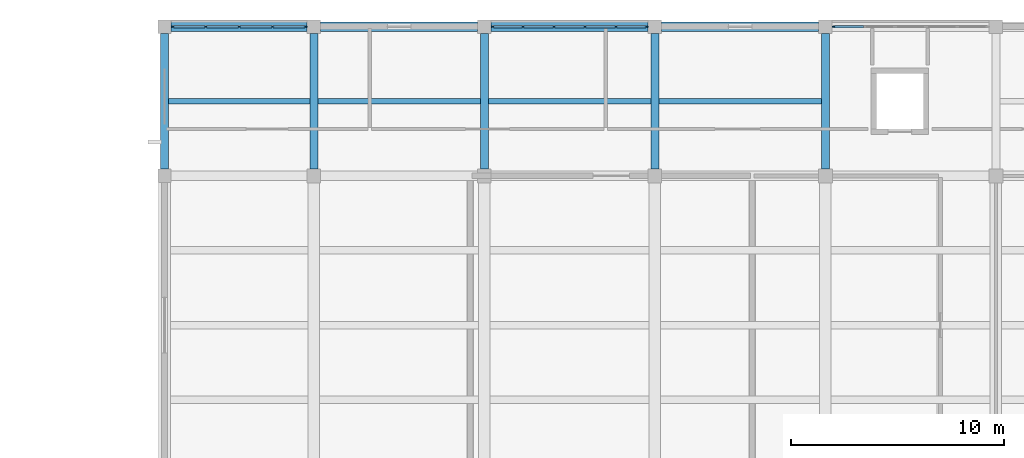
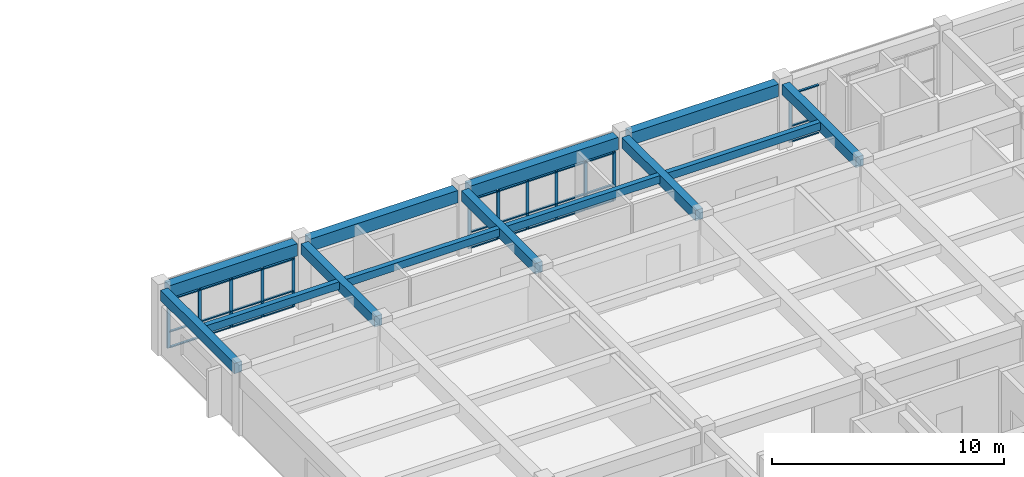
# One storey, part 12 of 33: 42 members, 13 beams, 3 elements without a shape of their own.
"""IFC4 building model written with IfcOpenShell, lengths in metres."""

from ifc_helpers import new_model, si_unit, direction, frame, origin, origin_2d, place, context, subcontext, project, spatial, rectangle, extrude, material, layer, layer_set, material_profile, profile_set, type_object, element, aggregate, save


model = new_model("IFC4")

# Units and contexts
model_context = context("Model", 3, precision=1e-05, world=origin(), true_north=direction((0.0, 1.0)))
body_context = subcontext(model_context, "Body", "Model", "MODEL_VIEW")
ifc_project = project(units=[si_unit("LENGTHUNIT", "METRE"), si_unit("AREAUNIT", "SQUARE_METRE"), si_unit("VOLUMEUNIT", "CUBIC_METRE"), si_unit("PLANEANGLEUNIT", "RADIAN"), si_unit("MASSUNIT", "GRAM", prefix="KILO")], contexts=[model_context])

# Site, building, storey
site_placement = place(None, origin())
site = spatial("IfcSite", under=ifc_project, at=site_placement, CompositionType="ELEMENT")
building_placement = place(site_placement, origin())
building = spatial("IfcBuilding", under=site, at=building_placement, Name="Naurynzar Civic Courthouse", CompositionType="ELEMENT")
storey_placement = place(building_placement, frame((0.0, 0.0, 22.050048828125)))
storey = spatial("IfcBuildingStorey", under=building, at=storey_placement, Name="L06", CompositionType="ELEMENT", Elevation=22.050048828125)

# Beams
ifc_material_1 = material(Name="Concrete C40/50", Category="concrete")
ifc_material_profile_1 = material_profile(ifc_material_1, rectangle(XDim=0.25, YDim=0.39990234375, at=origin_2d()), Name="RCB 250x400")
ifc_profile_set_1 = profile_set([ifc_material_profile_1], Name="Concrete C40/50")
beam_type_1 = type_object("IfcBeamType", Name="BM-JST-250x400", PredefinedType="JOIST", material=ifc_profile_set_1)
beam_1_placement = place(storey_placement, frame((62.1875, 68.5, 3.22998046875), z_axis=(1.0, 0.0, 0.0), x_axis=(0.0, 1.0, 0.0)))
element("IfcBeam", 1, at=beam_1_placement, inside=storey, type_object=beam_type_1, Name="V2 secondary rib 923 L06", PredefinedType="JOIST", context=body_context, shape_type="SweptSolid", body=[
    extrude(rectangle(XDim=0.25, YDim=0.39990234375, at=origin_2d()), origin(), (0.0, 0.0, 1.0), 6.625),
])
for number, where, z_axis, x_axis, name in (
    (2, (69.1875, 68.5, 3.22998046875), (1.0, 0.0, 0.0), (0.0, 1.0, 0.0), "V2 secondary rib 924 L06"),
    (3, (77.1875, 68.5, 3.22998046875), (1.0, 0.0, 0.0), (0.0, 1.0, 0.0), "V2 secondary rib 925 L06"),
    (4, (85.1875, 68.5, 3.22998046875), (1.0, 0.0, 0.0), (0.0, 1.0, 0.0), "V2 secondary rib 926 L06"),
):
    element("IfcBeam", number, at=place(storey_placement, frame(where, z_axis=z_axis, x_axis=x_axis)), inside=storey, type_object=beam_type_1, Name=name, PredefinedType="JOIST", context=body_context, shape_type="SweptSolid", body=[
        extrude(rectangle(XDim=0.25, YDim=0.39990234375, at=origin_2d()), origin(), (0.0, 0.0, 1.0), 7.625),
    ])
ifc_material_2 = material(Name="Concrete C40/50", Category="concrete")
ifc_material_profile_2 = material_profile(ifc_material_2, rectangle(XDim=0.375, YDim=0.550048828125, at=origin_2d()), Name="RCB 375x550")
ifc_profile_set_2 = profile_set([ifc_material_profile_2], Name="Concrete C40/50")
beam_type_2 = type_object("IfcBeamType", Name="BM-RC-375x550", PredefinedType="BEAM", material=ifc_profile_set_2)
beam_2_placement = place(storey_placement, frame((62.0, 65.3125, 3.155029296875), z_axis=(0.0, 1.0, 0.0), x_axis=(-1.0, 0.0, 0.0)))
element("IfcBeam", 5, at=beam_2_placement, inside=storey, type_object=beam_type_2, Name="V2 girder Y-870 L06", PredefinedType="BEAM", context=body_context, shape_type="SweptSolid", body=[
    extrude(rectangle(XDim=0.375, YDim=0.550048828125, at=origin_2d()), origin(), (0.0, 0.0, 1.0), 6.375),
])
for number, where, z_axis, x_axis, name in (
    (6, (69.0, 65.324951171875, 3.155029296875), (0.0, 1.0, 0.0), (-1.0, 0.0, 0.0), "V2 girder Y-873 L06"),
    (7, (77.0, 65.324951171875, 3.155029296875), (0.0, 1.0, 0.0), (-1.0, 0.0, 0.0), "V2 girder Y-876 L06"),
    (8, (85.0, 65.324951171875, 3.155029296875), (0.0, 1.0, 0.0), (-1.0, 0.0, 0.0), "V2 girder Y-879 L06"),
    (9, (93.0, 65.324951171875, 3.155029296875), (0.0, 1.0, 0.0), (-1.0, 0.0, 0.0), "V2 girder Y-882 L06"),
):
    element("IfcBeam", number, at=place(storey_placement, frame(where, z_axis=z_axis, x_axis=x_axis)), inside=storey, type_object=beam_type_2, Name=name, PredefinedType="BEAM", context=body_context, shape_type="SweptSolid", body=[
        extrude(rectangle(XDim=0.375, YDim=0.550048828125, at=origin_2d()), origin(), (0.0, 0.0, 1.0), 6.362548828125),
    ])
ifc_material_3 = material(Name="Concrete C40/50", Category="concrete")
ifc_material_profile_3 = material_profile(ifc_material_3, rectangle(XDim=0.449951171875, YDim=0.64990234375, at=origin_2d()), Name="RCB 450x650")
ifc_profile_set_3 = profile_set([ifc_material_profile_3], Name="Concrete C40/50")
beam_type_3 = type_object("IfcBeamType", Name="BM-RC-450x650", PredefinedType="BEAM", material=ifc_profile_set_3)
beam_3_placement = place(storey_placement, frame((62.3125, 72.0, 3.10498046875), z_axis=(1.0, 0.0, 0.0), x_axis=(0.0, 1.0, 0.0)))
element("IfcBeam", 10, at=beam_3_placement, inside=storey, type_object=beam_type_3, Name="V2 beam X-860 L06", PredefinedType="BEAM", context=body_context, shape_type="SweptSolid", body=[
    extrude(rectangle(XDim=0.449951171875, YDim=0.64990234375, at=origin_2d()), origin(), (0.0, 0.0, 1.0), 6.375),
])
for number, where, z_axis, x_axis, name in (
    (11, (69.3125, 72.0, 3.10498046875), (1.0, 0.0, 0.0), (0.0, 1.0, 0.0), "V2 beam X-861 L06"),
    (12, (77.3125, 72.0, 3.10498046875), (1.0, 0.0, 0.0), (0.0, 1.0, 0.0), "V2 beam X-862 L06"),
    (13, (85.3125, 72.0, 3.10498046875), (1.0, 0.0, 0.0), (0.0, 1.0, 0.0), "V2 beam X-863 L06"),
):
    element("IfcBeam", number, at=place(storey_placement, frame(where, z_axis=z_axis, x_axis=x_axis)), inside=storey, type_object=beam_type_3, Name=name, PredefinedType="BEAM", context=body_context, shape_type="SweptSolid", body=[
        extrude(rectangle(XDim=0.449951171875, YDim=0.64990234375, at=origin_2d()), origin(), (0.0, 0.0, 1.0), 7.375),
    ])

# Curtain wall, members
ifc_material_4 = material(Name="Aluminium 6063-T6", Category="aluminium")
ifc_layer = layer(ifc_material_4, 0.179931640625)
ifc_layer_set = layer_set([ifc_layer], Name="CW-UNIT-1500")
curtain_wall_type = type_object("IfcCurtainWallType", Name="CW-UNIT-1500", PredefinedType="NOTDEFINED", material=ifc_layer_set)
curtain_wall_1_placement = place(storey_placement, origin())
curtain_wall_1 = element("IfcCurtainWall", 14, at=curtain_wall_1_placement, inside=storey, type_object=curtain_wall_type, Name="V2 unitised curtain wall 43 L06", PredefinedType="NOTDEFINED")
ifc_material_5 = material(Name="Aluminium 6063-T6", Category="aluminium")
ifc_material_profile_4 = material_profile(ifc_material_5, rectangle(XDim=0.06005859375, YDim=0.14990234375, at=origin_2d()), Name="ALU MULLION 60x150")
ifc_profile_set_4 = profile_set([ifc_material_profile_4], Name="Aluminium 6063-T6")
member_type_1 = type_object("IfcMemberType", Name="CWM-60x150", PredefinedType="MULLION", material=ifc_profile_set_4)
member_1_placement = place(storey_placement, frame((62.392578125, 72.0, 0.0), z_axis=(0.0, 0.0, 1.0), x_axis=(0.0, 1.0, 0.0)))
member_1 = element("IfcMember", 15, at=member_1_placement, type_object=member_type_1, Name="CW-01 mullion 1", PredefinedType="MULLION", context=body_context, shape_type="SweptSolid", body=[
    extrude(rectangle(XDim=0.06005859375, YDim=0.14990234375, at=origin_2d()), origin(), (0.0, 0.0, 1.0), 2.56005859375),
])
member_2_placement = place(storey_placement, frame((63.93115234375, 72.0, 0.0), z_axis=(0.0, 0.0, 1.0), x_axis=(0.0, 1.0, 0.0)))
member_2 = element("IfcMember", 16, at=member_2_placement, type_object=member_type_1, Name="CW-01 mullion 2", PredefinedType="MULLION", context=body_context, shape_type="SweptSolid", body=[
    extrude(rectangle(XDim=0.06005859375, YDim=0.14990234375, at=origin_2d()), origin(), (0.0, 0.0, 1.0), 2.56005859375),
])
member_3_placement = place(storey_placement, frame((65.5, 72.0, 0.0), z_axis=(0.0, 0.0, 1.0), x_axis=(0.0, 1.0, 0.0)))
member_3 = element("IfcMember", 17, at=member_3_placement, type_object=member_type_1, Name="CW-01 mullion 3", PredefinedType="MULLION", context=body_context, shape_type="SweptSolid", body=[
    extrude(rectangle(XDim=0.06005859375, YDim=0.14990234375, at=origin_2d()), origin(), (0.0, 0.0, 1.0), 2.56005859375),
])
member_4_placement = place(storey_placement, frame((67.06884765625, 72.0, 0.0), z_axis=(0.0, 0.0, 1.0), x_axis=(0.0, 1.0, 0.0)))
member_4 = element("IfcMember", 18, at=member_4_placement, type_object=member_type_1, Name="CW-01 mullion 4", PredefinedType="MULLION", context=body_context, shape_type="SweptSolid", body=[
    extrude(rectangle(XDim=0.06005859375, YDim=0.14990234375, at=origin_2d()), origin(), (0.0, 0.0, 1.0), 2.56005859375),
])
member_5_placement = place(storey_placement, frame((68.607421875, 72.0, 0.0), z_axis=(0.0, 0.0, 1.0), x_axis=(0.0, 1.0, 0.0)))
member_5 = element("IfcMember", 19, at=member_5_placement, type_object=member_type_1, Name="CW-01 mullion 5", PredefinedType="MULLION", context=body_context, shape_type="SweptSolid", body=[
    extrude(rectangle(XDim=0.06005859375, YDim=0.14990234375, at=origin_2d()), origin(), (0.0, 0.0, 1.0), 2.56005859375),
])

curtain_wall_2_placement = place(storey_placement, origin())
curtain_wall_2 = element("IfcCurtainWall", 20, at=curtain_wall_2_placement, inside=storey, type_object=curtain_wall_type, Name="V2 unitised curtain wall 44 L06", PredefinedType="NOTDEFINED")
member_6_placement = place(storey_placement, frame((77.392578125, 72.0, 0.0), z_axis=(0.0, 0.0, 1.0), x_axis=(0.0, 1.0, 0.0)))
member_6 = element("IfcMember", 21, at=member_6_placement, type_object=member_type_1, Name="CW-01 mullion 1", PredefinedType="MULLION", context=body_context, shape_type="SweptSolid", body=[
    extrude(rectangle(XDim=0.06005859375, YDim=0.14990234375, at=origin_2d()), origin(), (0.0, 0.0, 1.0), 2.56005859375),
])
member_7_placement = place(storey_placement, frame((78.8173828125, 72.0, 0.0), z_axis=(0.0, 0.0, 1.0), x_axis=(0.0, 1.0, 0.0)))
member_7 = element("IfcMember", 22, at=member_7_placement, type_object=member_type_1, Name="CW-01 mullion 2", PredefinedType="MULLION", context=body_context, shape_type="SweptSolid", body=[
    extrude(rectangle(XDim=0.06005859375, YDim=0.14990234375, at=origin_2d()), origin(), (0.0, 0.0, 1.0), 2.56005859375),
])
member_8_placement = place(storey_placement, frame((80.2724609375, 72.0, 0.0), z_axis=(0.0, 0.0, 1.0), x_axis=(0.0, 1.0, 0.0)))
member_8 = element("IfcMember", 23, at=member_8_placement, type_object=member_type_1, Name="CW-01 mullion 3", PredefinedType="MULLION", context=body_context, shape_type="SweptSolid", body=[
    extrude(rectangle(XDim=0.06005859375, YDim=0.14990234375, at=origin_2d()), origin(), (0.0, 0.0, 1.0), 2.56005859375),
])
member_9_placement = place(storey_placement, frame((81.7275390625, 72.0, 0.0), z_axis=(0.0, 0.0, 1.0), x_axis=(0.0, 1.0, 0.0)))
member_9 = element("IfcMember", 24, at=member_9_placement, type_object=member_type_1, Name="CW-01 mullion 4", PredefinedType="MULLION", context=body_context, shape_type="SweptSolid", body=[
    extrude(rectangle(XDim=0.06005859375, YDim=0.14990234375, at=origin_2d()), origin(), (0.0, 0.0, 1.0), 2.56005859375),
])
member_10_placement = place(storey_placement, frame((83.1826171875, 72.0, 0.0), z_axis=(0.0, 0.0, 1.0), x_axis=(0.0, 1.0, 0.0)))
member_10 = element("IfcMember", 25, at=member_10_placement, type_object=member_type_1, Name="CW-01 mullion 5", PredefinedType="MULLION", context=body_context, shape_type="SweptSolid", body=[
    extrude(rectangle(XDim=0.06005859375, YDim=0.14990234375, at=origin_2d()), origin(), (0.0, 0.0, 1.0), 2.56005859375),
])
member_11_placement = place(storey_placement, frame((84.607421875, 72.0, 0.0), z_axis=(0.0, 0.0, 1.0), x_axis=(0.0, 1.0, 0.0)))
member_11 = element("IfcMember", 26, at=member_11_placement, type_object=member_type_1, Name="CW-01 mullion 6", PredefinedType="MULLION", context=body_context, shape_type="SweptSolid", body=[
    extrude(rectangle(XDim=0.06005859375, YDim=0.14990234375, at=origin_2d()), origin(), (0.0, 0.0, 1.0), 2.56005859375),
])

# Curtain wall, member
curtain_wall_3_placement = place(storey_placement, origin())
curtain_wall_3 = element("IfcCurtainWall", 27, at=curtain_wall_3_placement, inside=storey, type_object=curtain_wall_type, Name="V2 unitised curtain wall 45 L06", PredefinedType="NOTDEFINED")
member_12_placement = place(storey_placement, frame((93.392578125, 72.0, 0.0), z_axis=(0.0, 0.0, 1.0), x_axis=(0.0, 1.0, 0.0)))
member_12 = element("IfcMember", 28, at=member_12_placement, type_object=member_type_1, Name="CW-01 mullion 1", PredefinedType="MULLION", context=body_context, shape_type="SweptSolid", body=[
    extrude(rectangle(XDim=0.06005859375, YDim=0.14990234375, at=origin_2d()), origin(), (0.0, 0.0, 1.0), 2.56005859375),
])

# Member
ifc_material_6 = material(Name="Aluminium 6063-T6", Category="aluminium")
ifc_material_profile_5 = material_profile(ifc_material_6, rectangle(XDim=0.110107421875, YDim=0.06005859375, at=origin_2d()), Name="ALU TRANSOM 60x110")
ifc_profile_set_5 = profile_set([ifc_material_profile_5], Name="Aluminium 6063-T6")
member_type_2 = type_object("IfcMemberType", Name="CWT-60x110", PredefinedType="USERDEFINED", material=ifc_profile_set_5)
member_13_placement = place(storey_placement, frame((62.422607421875, 72.0, 0.030029296875), z_axis=(1.0, 0.0, 0.0), x_axis=(0.0, 1.0, 0.0)))
member_13 = element("IfcMember", 29, at=member_13_placement, type_object=member_type_2, Name="CW-01 transom 1.1", ObjectType="TRANSOM", PredefinedType="USERDEFINED", context=body_context, shape_type="SweptSolid", body=[
    extrude(rectangle(XDim=0.110107421875, YDim=0.06005859375, at=origin_2d()), origin(), (0.0, 0.0, 1.0), 1.478759765625),
])

member_14_placement = place(storey_placement, frame((62.422607421875, 72.0, 0.849853515625), z_axis=(1.0, 0.0, 0.0), x_axis=(0.0, 1.0, 0.0)))
member_14 = element("IfcMember", 30, at=member_14_placement, type_object=member_type_2, Name="CW-01 transom 1.2", ObjectType="TRANSOM", PredefinedType="USERDEFINED", context=body_context, shape_type="SweptSolid", body=[
    extrude(rectangle(XDim=0.110107421875, YDim=0.06005859375, at=origin_2d()), origin(), (0.0, 0.0, 1.0), 1.478759765625),
])

member_15_placement = place(storey_placement, frame((62.422607421875, 72.0, 2.530029296875), z_axis=(1.0, 0.0, 0.0), x_axis=(0.0, 1.0, 0.0)))
member_15 = element("IfcMember", 31, at=member_15_placement, type_object=member_type_2, Name="CW-01 transom 1.3", ObjectType="TRANSOM", PredefinedType="USERDEFINED", context=body_context, shape_type="SweptSolid", body=[
    extrude(rectangle(XDim=0.110107421875, YDim=0.06005859375, at=origin_2d()), origin(), (0.0, 0.0, 1.0), 1.478759765625),
])

member_16_placement = place(storey_placement, frame((63.961181640625, 72.0, 0.030029296875), z_axis=(1.0, 0.0, 0.0), x_axis=(0.0, 1.0, 0.0)))
member_16 = element("IfcMember", 32, at=member_16_placement, type_object=member_type_2, Name="CW-01 transom 2.1", ObjectType="TRANSOM", PredefinedType="USERDEFINED", context=body_context, shape_type="SweptSolid", body=[
    extrude(rectangle(XDim=0.110107421875, YDim=0.06005859375, at=origin_2d()), origin(), (0.0, 0.0, 1.0), 1.5087890625),
])

member_17_placement = place(storey_placement, frame((63.961181640625, 72.0, 0.849853515625), z_axis=(1.0, 0.0, 0.0), x_axis=(0.0, 1.0, 0.0)))
member_17 = element("IfcMember", 33, at=member_17_placement, type_object=member_type_2, Name="CW-01 transom 2.2", ObjectType="TRANSOM", PredefinedType="USERDEFINED", context=body_context, shape_type="SweptSolid", body=[
    extrude(rectangle(XDim=0.110107421875, YDim=0.06005859375, at=origin_2d()), origin(), (0.0, 0.0, 1.0), 1.5087890625),
])

member_18_placement = place(storey_placement, frame((63.961181640625, 72.0, 2.530029296875), z_axis=(1.0, 0.0, 0.0), x_axis=(0.0, 1.0, 0.0)))
member_18 = element("IfcMember", 34, at=member_18_placement, type_object=member_type_2, Name="CW-01 transom 2.3", ObjectType="TRANSOM", PredefinedType="USERDEFINED", context=body_context, shape_type="SweptSolid", body=[
    extrude(rectangle(XDim=0.110107421875, YDim=0.06005859375, at=origin_2d()), origin(), (0.0, 0.0, 1.0), 1.5087890625),
])

member_19_placement = place(storey_placement, frame((65.530029296875, 72.0, 0.030029296875), z_axis=(1.0, 0.0, 0.0), x_axis=(0.0, 1.0, 0.0)))
member_19 = element("IfcMember", 35, at=member_19_placement, type_object=member_type_2, Name="CW-01 transom 3.1", ObjectType="TRANSOM", PredefinedType="USERDEFINED", context=body_context, shape_type="SweptSolid", body=[
    extrude(rectangle(XDim=0.110107421875, YDim=0.06005859375, at=origin_2d()), origin(), (0.0, 0.0, 1.0), 1.5087890625),
])

member_20_placement = place(storey_placement, frame((65.530029296875, 72.0, 0.849853515625), z_axis=(1.0, 0.0, 0.0), x_axis=(0.0, 1.0, 0.0)))
member_20 = element("IfcMember", 36, at=member_20_placement, type_object=member_type_2, Name="CW-01 transom 3.2", ObjectType="TRANSOM", PredefinedType="USERDEFINED", context=body_context, shape_type="SweptSolid", body=[
    extrude(rectangle(XDim=0.110107421875, YDim=0.06005859375, at=origin_2d()), origin(), (0.0, 0.0, 1.0), 1.5087890625),
])

member_21_placement = place(storey_placement, frame((65.530029296875, 72.0, 2.530029296875), z_axis=(1.0, 0.0, 0.0), x_axis=(0.0, 1.0, 0.0)))
member_21 = element("IfcMember", 37, at=member_21_placement, type_object=member_type_2, Name="CW-01 transom 3.3", ObjectType="TRANSOM", PredefinedType="USERDEFINED", context=body_context, shape_type="SweptSolid", body=[
    extrude(rectangle(XDim=0.110107421875, YDim=0.06005859375, at=origin_2d()), origin(), (0.0, 0.0, 1.0), 1.5087890625),
])

member_22_placement = place(storey_placement, frame((67.0986328125, 72.0, 0.030029296875), z_axis=(1.0, 0.0, 0.0), x_axis=(0.0, 1.0, 0.0)))
member_22 = element("IfcMember", 38, at=member_22_placement, type_object=member_type_2, Name="CW-01 transom 4.1", ObjectType="TRANSOM", PredefinedType="USERDEFINED", context=body_context, shape_type="SweptSolid", body=[
    extrude(rectangle(XDim=0.110107421875, YDim=0.06005859375, at=origin_2d()), origin(), (0.0, 0.0, 1.0), 1.478759765625),
])

member_23_placement = place(storey_placement, frame((67.0986328125, 72.0, 0.849853515625), z_axis=(1.0, 0.0, 0.0), x_axis=(0.0, 1.0, 0.0)))
member_23 = element("IfcMember", 39, at=member_23_placement, type_object=member_type_2, Name="CW-01 transom 4.2", ObjectType="TRANSOM", PredefinedType="USERDEFINED", context=body_context, shape_type="SweptSolid", body=[
    extrude(rectangle(XDim=0.110107421875, YDim=0.06005859375, at=origin_2d()), origin(), (0.0, 0.0, 1.0), 1.478759765625),
])

member_24_placement = place(storey_placement, frame((67.0986328125, 72.0, 2.530029296875), z_axis=(1.0, 0.0, 0.0), x_axis=(0.0, 1.0, 0.0)))
member_24 = element("IfcMember", 40, at=member_24_placement, type_object=member_type_2, Name="CW-01 transom 4.3", ObjectType="TRANSOM", PredefinedType="USERDEFINED", context=body_context, shape_type="SweptSolid", body=[
    extrude(rectangle(XDim=0.110107421875, YDim=0.06005859375, at=origin_2d()), origin(), (0.0, 0.0, 1.0), 1.478759765625),
])

aggregate(curtain_wall_1, [member_1, member_2, member_3, member_4, member_5, member_13, member_14, member_15, member_16, member_17, member_18, member_19, member_20, member_21, member_22, member_23, member_24])

member_25_placement = place(storey_placement, frame((77.422607421875, 72.0, 0.030029296875), z_axis=(1.0, 0.0, 0.0), x_axis=(0.0, 1.0, 0.0)))
member_25 = element("IfcMember", 41, at=member_25_placement, type_object=member_type_2, Name="CW-01 transom 1.1", ObjectType="TRANSOM", PredefinedType="USERDEFINED", context=body_context, shape_type="SweptSolid", body=[
    extrude(rectangle(XDim=0.110107421875, YDim=0.06005859375, at=origin_2d()), origin(), (0.0, 0.0, 1.0), 1.364990234375),
])

member_26_placement = place(storey_placement, frame((77.422607421875, 72.0, 0.849853515625), z_axis=(1.0, 0.0, 0.0), x_axis=(0.0, 1.0, 0.0)))
member_26 = element("IfcMember", 42, at=member_26_placement, type_object=member_type_2, Name="CW-01 transom 1.2", ObjectType="TRANSOM", PredefinedType="USERDEFINED", context=body_context, shape_type="SweptSolid", body=[
    extrude(rectangle(XDim=0.110107421875, YDim=0.06005859375, at=origin_2d()), origin(), (0.0, 0.0, 1.0), 1.364990234375),
])

member_27_placement = place(storey_placement, frame((77.422607421875, 72.0, 2.530029296875), z_axis=(1.0, 0.0, 0.0), x_axis=(0.0, 1.0, 0.0)))
member_27 = element("IfcMember", 43, at=member_27_placement, type_object=member_type_2, Name="CW-01 transom 1.3", ObjectType="TRANSOM", PredefinedType="USERDEFINED", context=body_context, shape_type="SweptSolid", body=[
    extrude(rectangle(XDim=0.110107421875, YDim=0.06005859375, at=origin_2d()), origin(), (0.0, 0.0, 1.0), 1.364990234375),
])

member_28_placement = place(storey_placement, frame((78.847412109375, 72.0, 0.030029296875), z_axis=(1.0, 0.0, 0.0), x_axis=(0.0, 1.0, 0.0)))
member_28 = element("IfcMember", 44, at=member_28_placement, type_object=member_type_2, Name="CW-01 transom 2.1", ObjectType="TRANSOM", PredefinedType="USERDEFINED", context=body_context, shape_type="SweptSolid", body=[
    extrude(rectangle(XDim=0.110107421875, YDim=0.06005859375, at=origin_2d()), origin(), (0.0, 0.0, 1.0), 1.39501953125),
])

member_29_placement = place(storey_placement, frame((78.847412109375, 72.0, 0.849853515625), z_axis=(1.0, 0.0, 0.0), x_axis=(0.0, 1.0, 0.0)))
member_29 = element("IfcMember", 45, at=member_29_placement, type_object=member_type_2, Name="CW-01 transom 2.2", ObjectType="TRANSOM", PredefinedType="USERDEFINED", context=body_context, shape_type="SweptSolid", body=[
    extrude(rectangle(XDim=0.110107421875, YDim=0.06005859375, at=origin_2d()), origin(), (0.0, 0.0, 1.0), 1.39501953125),
])

member_30_placement = place(storey_placement, frame((78.847412109375, 72.0, 2.530029296875), z_axis=(1.0, 0.0, 0.0), x_axis=(0.0, 1.0, 0.0)))
member_30 = element("IfcMember", 46, at=member_30_placement, type_object=member_type_2, Name="CW-01 transom 2.3", ObjectType="TRANSOM", PredefinedType="USERDEFINED", context=body_context, shape_type="SweptSolid", body=[
    extrude(rectangle(XDim=0.110107421875, YDim=0.06005859375, at=origin_2d()), origin(), (0.0, 0.0, 1.0), 1.39501953125),
])

member_31_placement = place(storey_placement, frame((80.302490234375, 72.0, 0.030029296875), z_axis=(1.0, 0.0, 0.0), x_axis=(0.0, 1.0, 0.0)))
member_31 = element("IfcMember", 47, at=member_31_placement, type_object=member_type_2, Name="CW-01 transom 3.1", ObjectType="TRANSOM", PredefinedType="USERDEFINED", context=body_context, shape_type="SweptSolid", body=[
    extrude(rectangle(XDim=0.110107421875, YDim=0.06005859375, at=origin_2d()), origin(), (0.0, 0.0, 1.0), 1.39501953125),
])

member_32_placement = place(storey_placement, frame((80.302490234375, 72.0, 0.849853515625), z_axis=(1.0, 0.0, 0.0), x_axis=(0.0, 1.0, 0.0)))
member_32 = element("IfcMember", 48, at=member_32_placement, type_object=member_type_2, Name="CW-01 transom 3.2", ObjectType="TRANSOM", PredefinedType="USERDEFINED", context=body_context, shape_type="SweptSolid", body=[
    extrude(rectangle(XDim=0.110107421875, YDim=0.06005859375, at=origin_2d()), origin(), (0.0, 0.0, 1.0), 1.39501953125),
])

member_33_placement = place(storey_placement, frame((80.302490234375, 72.0, 2.530029296875), z_axis=(1.0, 0.0, 0.0), x_axis=(0.0, 1.0, 0.0)))
member_33 = element("IfcMember", 49, at=member_33_placement, type_object=member_type_2, Name="CW-01 transom 3.3", ObjectType="TRANSOM", PredefinedType="USERDEFINED", context=body_context, shape_type="SweptSolid", body=[
    extrude(rectangle(XDim=0.110107421875, YDim=0.06005859375, at=origin_2d()), origin(), (0.0, 0.0, 1.0), 1.39501953125),
])

member_34_placement = place(storey_placement, frame((81.757568359375, 72.0, 0.030029296875), z_axis=(1.0, 0.0, 0.0), x_axis=(0.0, 1.0, 0.0)))
member_34 = element("IfcMember", 50, at=member_34_placement, type_object=member_type_2, Name="CW-01 transom 4.1", ObjectType="TRANSOM", PredefinedType="USERDEFINED", context=body_context, shape_type="SweptSolid", body=[
    extrude(rectangle(XDim=0.110107421875, YDim=0.06005859375, at=origin_2d()), origin(), (0.0, 0.0, 1.0), 1.39501953125),
])

member_35_placement = place(storey_placement, frame((81.757568359375, 72.0, 0.849853515625), z_axis=(1.0, 0.0, 0.0), x_axis=(0.0, 1.0, 0.0)))
member_35 = element("IfcMember", 51, at=member_35_placement, type_object=member_type_2, Name="CW-01 transom 4.2", ObjectType="TRANSOM", PredefinedType="USERDEFINED", context=body_context, shape_type="SweptSolid", body=[
    extrude(rectangle(XDim=0.110107421875, YDim=0.06005859375, at=origin_2d()), origin(), (0.0, 0.0, 1.0), 1.39501953125),
])

member_36_placement = place(storey_placement, frame((81.757568359375, 72.0, 2.530029296875), z_axis=(1.0, 0.0, 0.0), x_axis=(0.0, 1.0, 0.0)))
member_36 = element("IfcMember", 52, at=member_36_placement, type_object=member_type_2, Name="CW-01 transom 4.3", ObjectType="TRANSOM", PredefinedType="USERDEFINED", context=body_context, shape_type="SweptSolid", body=[
    extrude(rectangle(XDim=0.110107421875, YDim=0.06005859375, at=origin_2d()), origin(), (0.0, 0.0, 1.0), 1.39501953125),
])

member_37_placement = place(storey_placement, frame((83.21240234375, 72.0, 0.030029296875), z_axis=(1.0, 0.0, 0.0), x_axis=(0.0, 1.0, 0.0)))
member_37 = element("IfcMember", 53, at=member_37_placement, type_object=member_type_2, Name="CW-01 transom 5.1", ObjectType="TRANSOM", PredefinedType="USERDEFINED", context=body_context, shape_type="SweptSolid", body=[
    extrude(rectangle(XDim=0.110107421875, YDim=0.06005859375, at=origin_2d()), origin(), (0.0, 0.0, 1.0), 1.364990234375),
])

member_38_placement = place(storey_placement, frame((83.21240234375, 72.0, 0.849853515625), z_axis=(1.0, 0.0, 0.0), x_axis=(0.0, 1.0, 0.0)))
member_38 = element("IfcMember", 54, at=member_38_placement, type_object=member_type_2, Name="CW-01 transom 5.2", ObjectType="TRANSOM", PredefinedType="USERDEFINED", context=body_context, shape_type="SweptSolid", body=[
    extrude(rectangle(XDim=0.110107421875, YDim=0.06005859375, at=origin_2d()), origin(), (0.0, 0.0, 1.0), 1.364990234375),
])

member_39_placement = place(storey_placement, frame((83.21240234375, 72.0, 2.530029296875), z_axis=(1.0, 0.0, 0.0), x_axis=(0.0, 1.0, 0.0)))
member_39 = element("IfcMember", 55, at=member_39_placement, type_object=member_type_2, Name="CW-01 transom 5.3", ObjectType="TRANSOM", PredefinedType="USERDEFINED", context=body_context, shape_type="SweptSolid", body=[
    extrude(rectangle(XDim=0.110107421875, YDim=0.06005859375, at=origin_2d()), origin(), (0.0, 0.0, 1.0), 1.364990234375),
])

aggregate(curtain_wall_2, [member_6, member_7, member_8, member_9, member_10, member_11, member_25, member_26, member_27, member_28, member_29, member_30, member_31, member_32, member_33, member_34, member_35, member_36, member_37, member_38, member_39])

member_40_placement = place(storey_placement, frame((93.422607421875, 72.0, 0.030029296875), z_axis=(1.0, 0.0, 0.0), x_axis=(0.0, 1.0, 0.0)))
member_40 = element("IfcMember", 56, at=member_40_placement, type_object=member_type_2, Name="CW-01 transom 1.1", ObjectType="TRANSOM", PredefinedType="USERDEFINED", context=body_context, shape_type="SweptSolid", body=[
    extrude(rectangle(XDim=0.110107421875, YDim=0.06005859375, at=origin_2d()), origin(), (0.0, 0.0, 1.0), 1.364990234375),
])

member_41_placement = place(storey_placement, frame((93.422607421875, 72.0, 0.849853515625), z_axis=(1.0, 0.0, 0.0), x_axis=(0.0, 1.0, 0.0)))
member_41 = element("IfcMember", 57, at=member_41_placement, type_object=member_type_2, Name="CW-01 transom 1.2", ObjectType="TRANSOM", PredefinedType="USERDEFINED", context=body_context, shape_type="SweptSolid", body=[
    extrude(rectangle(XDim=0.110107421875, YDim=0.06005859375, at=origin_2d()), origin(), (0.0, 0.0, 1.0), 1.364990234375),
])

member_42_placement = place(storey_placement, frame((93.422607421875, 72.0, 2.530029296875), z_axis=(1.0, 0.0, 0.0), x_axis=(0.0, 1.0, 0.0)))
member_42 = element("IfcMember", 58, at=member_42_placement, type_object=member_type_2, Name="CW-01 transom 1.3", ObjectType="TRANSOM", PredefinedType="USERDEFINED", context=body_context, shape_type="SweptSolid", body=[
    extrude(rectangle(XDim=0.110107421875, YDim=0.06005859375, at=origin_2d()), origin(), (0.0, 0.0, 1.0), 1.364990234375),
])

aggregate(curtain_wall_3, [member_12, member_40, member_41, member_42])

save(model, "model.ifc")
